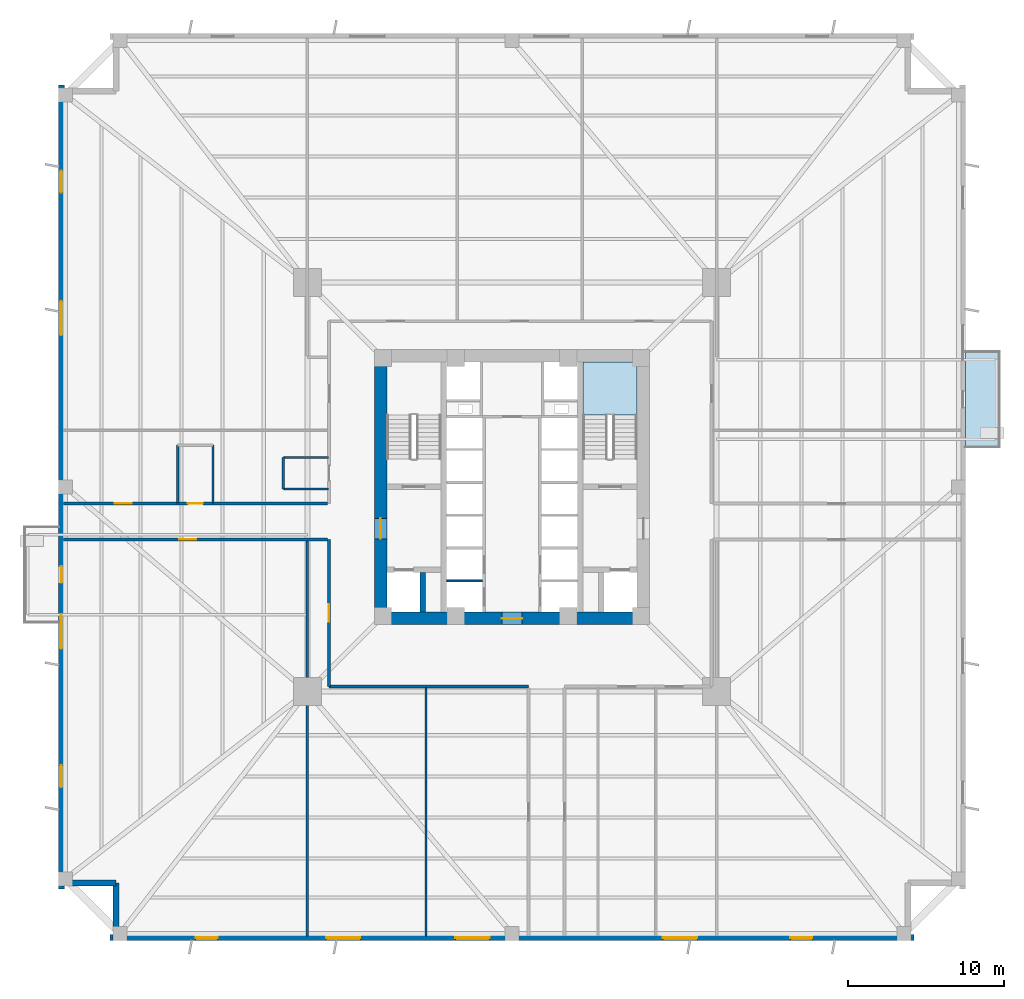
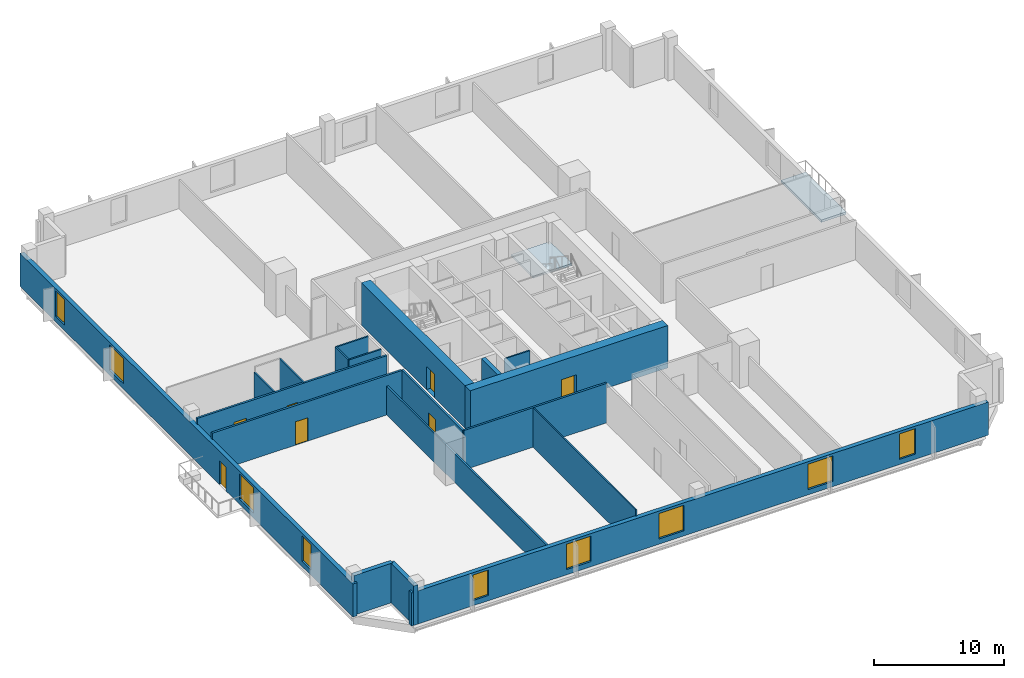
# One storey, part 2 of 9: 19 walls, 9 windows, 7 doors, 2 slabs, 16 openings, 1 element without a shape of its own.
"""IFC4 building model written with IfcOpenShell, lengths in metres."""

from ifc_helpers import new_model, si_unit, direction, frame, frame_2d, origin, place, context, subcontext, project, spatial, polyline, rectangle, outline, extrude, source, transform, mapped, material, layer, layer_set, type_object, element, fill, aggregate, save


model = new_model("IFC4")

# Units and contexts
model_context = context("Model", 3, precision=1e-05, world=origin(), true_north=direction((0.0, 1.0)))
body_context = subcontext(model_context, "Body", "Model", "MODEL_VIEW")
ifc_project = project(units=[si_unit("LENGTHUNIT", "METRE"), si_unit("AREAUNIT", "SQUARE_METRE"), si_unit("VOLUMEUNIT", "CUBIC_METRE"), si_unit("PLANEANGLEUNIT", "RADIAN"), si_unit("MASSUNIT", "GRAM", prefix="KILO"), si_unit("THERMODYNAMICTEMPERATUREUNIT", "KELVIN")], contexts=[model_context])

# Site, building, storey
site_placement = place(None, origin())
site = spatial("IfcSite", under=ifc_project, at=site_placement, CompositionType="ELEMENT")
building_placement = place(site_placement, origin())
building = spatial("IfcBuilding", under=site, at=building_placement, Name="Kosmvard Interchange Tower", CompositionType="ELEMENT")
storey_placement = place(building_placement, frame((0.0, 0.0, 70.0)))
storey = spatial("IfcBuildingStorey", under=building, at=storey_placement, Name="L16", CompositionType="ELEMENT", Elevation=70.0)

# Stair, slab
ifc_material_1 = material(Name="Concrete C50/60", Category="concrete")
stair_type = type_object("IfcStairType", Name="Dog-Leg Core Exit Stair H4000 C50/60", PredefinedType="HALF_TURN_STAIR", material=ifc_material_1)
stair_placement = place(storey_placement, origin())
stair = element("IfcStair", 1, at=stair_placement, inside=storey, type_object=stair_type, Name="L16 Protected Exit Stair ST-2", PredefinedType="HALF_TURN_STAIR")
ifc_layer_1 = layer(ifc_material_1, 0.199951171875, Name="Concrete C50/60")
ifc_layer_set_1 = layer_set([ifc_layer_1], Name="Concrete C50/60")
slab_type_1 = type_object("IfcSlabType", Name="Stair Half-Landing Slab 200 C50/60", PredefinedType="LANDING", material=ifc_layer_set_1)
slab_1_placement = place(storey_placement, frame((0.0, 0.0, 1.800048828125)))
slab_1 = element("IfcSlab", 2, at=slab_1_placement, type_object=slab_type_1, Name="ST-2 landing 1", PredefinedType="LANDING", context=body_context, shape_type="SweptSolid", body=[
    extrude(outline(polyline([(8.0, 4.60009765625), (8.0, 8.0), (4.5400390625, 8.0), (4.5400390625, 4.60009765625), (8.0, 4.60009765625)])), origin(), (0.0, 0.0, 1.0), 0.199951171875),
])
aggregate(stair, [slab_1])

# Slab
ifc_layer_2 = layer(ifc_material_1, 0.22998046875, Name="Concrete C50/60")
ifc_layer_set_2 = layer_set([ifc_layer_2], Name="Concrete C50/60")
slab_type_2 = type_object("IfcSlabType", Name="Tree-Planter Cantilever Balcony Slab 230 C50/60", PredefinedType="FLOOR", material=ifc_layer_set_2)
slab_2_placement = place(storey_placement, frame((0.0, 0.0, -0.22998046875)))
element("IfcSlab", 3, at=slab_2_placement, inside=storey, type_object=slab_type_2, Name="L16 Outdoor Terrace Balcony Slab BAL-L16-E", PredefinedType="FLOOR", context=body_context, shape_type="SweptSolid", body=[
    extrude(outline(polyline([(29.0, 2.5), (31.199951171875, 2.5), (31.199951171875, 8.699951171875), (29.0, 8.699951171875), (29.0, 2.5)])), origin(), (0.0, 0.0, 1.0), 0.22998046875),
])

# Walls
ifc_material_2 = material(Name="Acoustic gypsum partition system")
ifc_layer_3 = layer(ifc_material_2, 0.14990234375, Name="Acoustic gypsum partition system")
ifc_layer_set_3 = layer_set([ifc_layer_3], Name="Acoustic gypsum partition system")
wall_type_1 = type_object("IfcWallType", Name="Acoustic Suite & Meeting Partition 150", PredefinedType="PARTITIONING", material=ifc_layer_set_3)
wall_1_placement = place(storey_placement, frame((-13.0810546875, -28.68505859375, 0.0), z_axis=(0.0, 0.0, 1.0), x_axis=(0.0, 1.0, 0.0)))
element("IfcWall", 4, at=wall_1_placement, inside=storey, type_object=wall_type_1, Name="L16 Room Partition 12.1", PredefinedType="PARTITIONING", context=body_context, shape_type="SweptSolid", body=[
    extrude(rectangle(XDim=25.239990234375, YDim=0.14990234375, at=frame_2d((12.6201171875, 0.0))), origin(), (0.0, 0.0, 1.0), 2.7119140625),
])
ifc_material_3 = material(Name="Fire-rated gypsum partition system")
ifc_layer_4 = layer(ifc_material_3, 0.179931640625, Name="Fire-rated gypsum partition system")
ifc_layer_set_4 = layer_set([ifc_layer_4], Name="Fire-rated gypsum partition system")
wall_type_2 = type_object("IfcWallType", Name="Corridor & Hotel Compartment Partition 180", PredefinedType="PARTITIONING", material=ifc_layer_set_4)
wall_2_placement = place(storey_placement, frame((-11.699951171875, -12.75, 0.0), z_axis=(0.0, 0.0, 1.0), x_axis=(1.0, 0.0, 0.0)))
element("IfcWall", 5, at=wall_2_placement, inside=storey, type_object=wall_type_2, Name="L16 Corridor Wall CSW", PredefinedType="PARTITIONING", context=body_context, shape_type="SweptSolid", body=[
    extrude(rectangle(XDim=12.75, YDim=0.179931640625, at=frame_2d((6.375, 0.0))), origin(), (0.0, 0.0, 1.0), 3.719970703125),
])

# Wall, opening, door
wall_3_placement = place(storey_placement, frame((-11.699951171875, -12.75, 0.0), z_axis=(0.0, 0.0, 1.0), x_axis=(0.0, 1.0, 0.0)))
wall_3 = element("IfcWall", 6, at=wall_3_placement, inside=storey, type_object=wall_type_2, Name="L16 Corridor Wall CWS", PredefinedType="PARTITIONING", context=body_context, shape_type="SweptSolid", body=[
    extrude(rectangle(XDim=9.39990234375, YDim=0.179931640625, at=frame_2d((4.699951171875, 0.0))), origin(), (0.0, 0.0, 1.0), 3.719970703125),
])
opening_1_placement = place(wall_3_placement, frame((4.14990234375, 0.0, 0.0)))
opening_1 = element("IfcOpeningElement", 7, at=opening_1_placement, cuts=wall_3, Name="Opening L16-D15", PredefinedType="OPENING", context=body_context, shape_type="SweptSolid", body=[
    extrude(rectangle(XDim=1.10009765625, YDim=2.199951171875, at=frame_2d((0.550048828125, 1.10009765625))), frame((0.0, 0.10009765625, 0.0), z_axis=(0.0, -1.0, 0.0), x_axis=(1.0, 0.0, 0.0)), (0.0, 0.0, 1.0), 0.199951171875),
])
ifc_material_4 = material(Name="Engineered oak fire-rated timber", Category="wood")
door_type_1 = type_object("IfcDoorType", Name="Office Suite Entrance Door 1100x2200 FD30S", OperationType="NOTDEFINED", PredefinedType="DOOR", material=ifc_material_4)
shared_shape_1 = source(origin(), body_context, "Body", "SweptSolid", [
    extrude(rectangle(XDim=1.10009765625, YDim=2.199951171875, at=frame_2d((0.550048828125, 1.10009765625))), frame((0.0, 0.02490234375, 0.0), z_axis=(0.0, -1.0, 0.0), x_axis=(1.0, 0.0, 0.0)), (0.0, 0.0, 1.0), 0.050048828125),
])
door_1_placement = place(opening_1_placement, origin())
door_1 = element("IfcDoor", 8, at=door_1_placement, inside=storey, type_object=door_type_1, Name="L16 Catering Prep Pantry Door", OperationType="SINGLE_SWING_LEFT", OverallHeight=2.199951171875, OverallWidth=1.10009765625, PredefinedType="DOOR", context=body_context, shape_type="MappedRepresentation", body=[
    mapped(shared_shape_1, transform((0.0, 0.0, 0.0), scale=1.0)),
])
fill(opening_1, door_1)

wall_4_placement = place(storey_placement, frame((-28.68505859375, -3.35009765625, 0.0), z_axis=(0.0, 0.0, 1.0), x_axis=(1.0, 0.0, 0.0)))
wall_4 = element("IfcWall", 9, at=wall_4_placement, inside=storey, type_object=wall_type_2, Name="L16 Corridor Wall SWS", PredefinedType="PARTITIONING", context=body_context, shape_type="SweptSolid", body=[
    extrude(rectangle(XDim=16.885009765625, YDim=0.179931640625, at=frame_2d((8.4423828125, 0.0))), origin(), (0.0, 0.0, 1.0), 3.719970703125),
])
opening_2_placement = place(wall_4_placement, frame((7.41650390625, 0.0, 0.0)))
opening_2 = element("IfcOpeningElement", 10, at=opening_2_placement, cuts=wall_4, Name="Opening L16-D14", PredefinedType="OPENING", context=body_context, shape_type="SweptSolid", body=[
    extrude(rectangle(XDim=1.10009765625, YDim=2.199951171875, at=frame_2d((0.550048828125, 1.10009765625))), frame((0.0, 0.10009765625, 0.0), z_axis=(0.0, -1.0, 0.0), x_axis=(1.0, 0.0, 0.0)), (0.0, 0.0, 1.0), 0.199951171875),
])
door_2_placement = place(opening_2_placement, frame((1.10009765625, 0.0, 0.0), z_axis=(0.0, 0.0, 1.0), x_axis=(-1.0, 0.0, 0.0)))
door_2 = element("IfcDoor", 11, at=door_2_placement, inside=storey, type_object=door_type_1, Name="L16 West Open Operations Studio Door", OperationType="SINGLE_SWING_RIGHT", OverallHeight=2.199951171875, OverallWidth=1.10009765625, PredefinedType="DOOR", context=body_context, shape_type="MappedRepresentation", body=[
    mapped(shared_shape_1, transform((0.0, 0.0, 0.0), scale=1.0)),
])
fill(opening_2, door_2)

# Wall, openings, doors
wall_5_placement = place(storey_placement, frame((-28.68505859375, -1.050048828125, 0.0), z_axis=(0.0, 0.0, 1.0), x_axis=(1.0, 0.0, 0.0)))
wall_5 = element("IfcWall", 12, at=wall_5_placement, inside=storey, type_object=wall_type_2, Name="L16 Corridor Wall SWN", PredefinedType="PARTITIONING", context=body_context, shape_type="SweptSolid", body=[
    extrude(rectangle(XDim=16.885009765625, YDim=0.179931640625, at=frame_2d((8.4423828125, 0.0))), origin(), (0.0, 0.0, 1.0), 3.719970703125),
])
opening_3_placement = place(wall_5_placement, frame((7.967529296875, 0.0, 0.0)))
opening_3 = element("IfcOpeningElement", 13, at=opening_3_placement, cuts=wall_5, Name="Opening L16-D02", PredefinedType="OPENING", context=body_context, shape_type="SweptSolid", body=[
    extrude(rectangle(XDim=0.949951171875, YDim=2.10009765625, at=frame_2d((0.47509765625, 1.050048828125))), frame((0.0, 0.10009765625, 0.0), z_axis=(0.0, -1.0, 0.0), x_axis=(1.0, 0.0, 0.0)), (0.0, 0.0, 1.0), 0.199951171875),
])
opening_4_placement = place(wall_5_placement, frame((3.279296875, 0.0, 0.0)))
opening_4 = element("IfcOpeningElement", 14, at=opening_4_placement, cuts=wall_5, Name="Opening L16-D03", PredefinedType="OPENING", context=body_context, shape_type="SweptSolid", body=[
    extrude(rectangle(XDim=1.10009765625, YDim=2.199951171875, at=frame_2d((0.550048828125, 1.10009765625))), frame((0.0, 0.10009765625, 0.0), z_axis=(0.0, -1.0, 0.0), x_axis=(1.0, 0.0, 0.0)), (0.0, 0.0, 1.0), 0.199951171875),
])
ifc_material_5 = material(Name="Laminated moisture-resistant timber", Category="wood")
door_type_2 = type_object("IfcDoorType", Name="Accessible Washroom Door 950x2100", OperationType="NOTDEFINED", PredefinedType="DOOR", material=ifc_material_5)
shared_shape_2 = source(origin(), body_context, "Body", "SweptSolid", [
    extrude(rectangle(XDim=0.949951171875, YDim=2.10009765625, at=frame_2d((0.47509765625, 1.050048828125))), frame((0.0, 0.02490234375, 0.0), z_axis=(0.0, -1.0, 0.0), x_axis=(1.0, 0.0, 0.0)), (0.0, 0.0, 1.0), 0.050048828125),
])
door_3_placement = place(opening_3_placement, origin())
door_3 = element("IfcDoor", 15, at=door_3_placement, inside=storey, type_object=door_type_2, Name="L16 Public Floor Washroom Door", OperationType="SINGLE_SWING_RIGHT", OverallHeight=2.10009765625, OverallWidth=0.949951171875, PredefinedType="DOOR", context=body_context, shape_type="MappedRepresentation", body=[
    mapped(shared_shape_2, transform((0.0, 0.0, 0.0), scale=1.0)),
])
fill(opening_3, door_3)
door_4_placement = place(opening_4_placement, origin())
door_4 = element("IfcDoor", 16, at=door_4_placement, inside=storey, type_object=door_type_1, Name="L16 Occupational Wellness Clinic 1 Door", OperationType="SINGLE_SWING_LEFT", OverallHeight=2.199951171875, OverallWidth=1.10009765625, PredefinedType="DOOR", context=body_context, shape_type="MappedRepresentation", body=[
    mapped(shared_shape_1, transform((0.0, 0.0, 0.0), scale=1.0)),
])
fill(opening_4, door_4)

# Wall, opening, door
ifc_material_6 = material(Name="Concrete C80/95", Category="concrete")
ifc_layer_5 = layer(ifc_material_6, 0.800048828125, Name="Concrete C80/95")
ifc_layer_set_5 = layer_set([ifc_layer_5], Name="Concrete C80/95")
wall_type_3 = type_object("IfcWallType", Name="Lower Core Shear Wall 800 C80/95", PredefinedType="SHEAR", material=ifc_layer_set_5)
wall_6_placement = place(storey_placement, frame((-8.800048828125, -8.39990234375, 0.0), z_axis=(0.0, 0.0, 1.0), x_axis=(1.0, 0.0, 0.0)))
wall_6 = element("IfcWall", 17, at=wall_6_placement, inside=storey, type_object=wall_type_3, Name="L16 Core Shear Wall CW-S", PredefinedType="SHEAR", context=body_context, shape_type="SweptSolid", body=[
    extrude(rectangle(XDim=17.60009765625, YDim=0.800048828125, at=frame_2d((8.800048828125, 0.0))), origin(), (0.0, 0.0, 1.0), 4.0),
])
opening_5_placement = place(wall_6_placement, frame((8.14990234375, 0.0, 0.0)))
opening_5 = element("IfcOpeningElement", 18, at=opening_5_placement, cuts=wall_6, Name="Opening L16-LD0", PredefinedType="OPENING", context=body_context, shape_type="SweptSolid", body=[
    extrude(rectangle(XDim=1.300048828125, YDim=2.199951171875, at=frame_2d((0.64990234375, 1.10009765625))), frame((0.0, 0.41015625, 0.0), z_axis=(0.0, -1.0, 0.0), x_axis=(1.0, 0.0, 0.0)), (0.0, 0.0, 1.0), 0.820068359375),
])
ifc_material_7 = material(Name="Painted fire-rated steel leaf", Category="steel")
door_type_3 = type_object("IfcDoorType", Name="Firefighting Lobby Door 1300x2200 EI60", OperationType="NOTDEFINED", PredefinedType="DOOR", material=ifc_material_7)
shared_shape_3 = source(origin(), body_context, "Body", "SweptSolid", [
    extrude(rectangle(XDim=1.300048828125, YDim=2.199951171875, at=frame_2d((0.64990234375, 1.10009765625))), frame((0.0, 0.02490234375, 0.0), z_axis=(0.0, -1.0, 0.0), x_axis=(1.0, 0.0, 0.0)), (0.0, 0.0, 1.0), 0.050048828125),
])
door_5_placement = place(opening_5_placement, frame((1.300048828125, 0.0, 0.0), z_axis=(0.0, 0.0, 1.0), x_axis=(-1.0, 0.0, 0.0)))
door_5 = element("IfcDoor", 19, at=door_5_placement, inside=storey, type_object=door_type_3, Name="L16 Passenger Lift Lobby South Door", OperationType="SINGLE_SWING_RIGHT", OverallHeight=2.199951171875, OverallWidth=1.300048828125, PredefinedType="DOOR", context=body_context, shape_type="MappedRepresentation", body=[
    mapped(shared_shape_3, transform((0.0, 0.0, 0.0), scale=1.0)),
])
fill(opening_5, door_5)

wall_7_placement = place(storey_placement, frame((-8.39990234375, -8.0, 0.0), z_axis=(0.0, 0.0, 1.0), x_axis=(0.0, 1.0, 0.0)))
wall_7 = element("IfcWall", 20, at=wall_7_placement, inside=storey, type_object=wall_type_3, Name="L16 Core Shear Wall CW-W", PredefinedType="SHEAR", context=body_context, shape_type="SweptSolid", body=[
    extrude(rectangle(XDim=16.0, YDim=0.800048828125, at=frame_2d((8.0, 0.0))), origin(), (0.0, 0.0, 1.0), 4.0),
])
opening_6_placement = place(wall_7_placement, frame((4.68994140625, 0.0, 0.0)))
opening_6 = element("IfcOpeningElement", 21, at=opening_6_placement, cuts=wall_7, Name="Opening L16-FD1", PredefinedType="OPENING", context=body_context, shape_type="SweptSolid", body=[
    extrude(rectangle(XDim=1.300048828125, YDim=2.199951171875, at=frame_2d((0.64990234375, 1.10009765625))), frame((0.0, 0.41015625, 0.0), z_axis=(0.0, -1.0, 0.0), x_axis=(1.0, 0.0, 0.0)), (0.0, 0.0, 1.0), 0.820068359375),
])
door_6_placement = place(opening_6_placement, frame((1.300048828125, 0.0, 0.0), z_axis=(0.0, 0.0, 1.0), x_axis=(-1.0, 0.0, 0.0)))
door_6 = element("IfcDoor", 22, at=door_6_placement, inside=storey, type_object=door_type_3, Name="L16 Firefighting Lobby West Door", OperationType="SINGLE_SWING_LEFT", OverallHeight=2.199951171875, OverallWidth=1.300048828125, PredefinedType="DOOR", context=body_context, shape_type="MappedRepresentation", body=[
    mapped(shared_shape_3, transform((0.0, 0.0, 0.0), scale=1.0)),
])
fill(opening_6, door_6)

# Wall, openings, windows
ifc_material_8 = material(Name="Precast concrete C45/55", Category="concrete")
ifc_layer_6 = layer(ifc_material_8, 0.3798828125, Name="Precast concrete C45/55")
ifc_layer_set_6 = layer_set([ifc_layer_6], Name="Precast concrete C45/55")
wall_type_4 = type_object("IfcWallType", Name="Lower Tower Precast Pier Wall 380 C45/55", PredefinedType="STANDARD", material=ifc_layer_set_6)
wall_8_placement = place(storey_placement, frame((-25.68994140625, -28.81005859375, 0.0), z_axis=(0.0, 0.0, 1.0), x_axis=(1.0, 0.0, 0.0)))
wall_8 = element("IfcWall", 23, at=wall_8_placement, inside=storey, type_object=wall_type_4, Name="L16 Precast Facade Wall F-S", PredefinedType="STANDARD", context=body_context, shape_type="SweptSolid", body=[
    extrude(rectangle(XDim=51.3798828125, YDim=0.3798828125, at=frame_2d((25.68994140625, 0.0))), origin(), (0.0, 0.0, 1.0), 3.1201171875),
])
opening_7_placement = place(wall_8_placement, frame((5.465576171875, 0.0, 0.489990234375)))
opening_7 = element("IfcOpeningElement", 24, at=opening_7_placement, cuts=wall_8, Name="Opening L16-W01", PredefinedType="OPENING", context=body_context, shape_type="SweptSolid", body=[
    extrude(rectangle(XDim=1.39990234375, YDim=2.39990234375, at=frame_2d((0.699951171875, 1.199951171875))), frame((0.0, 0.199951171875, 0.0), z_axis=(0.0, -1.0, 0.0), x_axis=(1.0, 0.0, 0.0)), (0.0, 0.0, 1.0), 0.39990234375),
])
opening_8_placement = place(wall_8_placement, frame((13.80029296875, 0.0, 0.489990234375)))
opening_8 = element("IfcOpeningElement", 25, at=opening_8_placement, cuts=wall_8, Name="Opening L16-W02", PredefinedType="OPENING", context=body_context, shape_type="SweptSolid", body=[
    extrude(rectangle(XDim=2.199951171875, YDim=2.39990234375, at=frame_2d((1.10009765625, 1.199951171875))), frame((0.0, 0.199951171875, 0.0), z_axis=(0.0, -1.0, 0.0), x_axis=(1.0, 0.0, 0.0)), (0.0, 0.0, 1.0), 0.39990234375),
])
opening_9_placement = place(wall_8_placement, frame((22.0625, 0.0, 0.489990234375)))
opening_9 = element("IfcOpeningElement", 26, at=opening_9_placement, cuts=wall_8, Name="Opening L16-W03", PredefinedType="OPENING", context=body_context, shape_type="SweptSolid", body=[
    extrude(rectangle(XDim=2.199951171875, YDim=2.39990234375, at=frame_2d((1.10009765625, 1.199951171875))), frame((0.0, 0.199951171875, 0.0), z_axis=(0.0, -1.0, 0.0), x_axis=(1.0, 0.0, 0.0)), (0.0, 0.0, 1.0), 0.39990234375),
])
opening_10_placement = place(wall_8_placement, frame((35.33837890625, 0.0, 0.489990234375)))
opening_10 = element("IfcOpeningElement", 27, at=opening_10_placement, cuts=wall_8, Name="Opening L16-W04", PredefinedType="OPENING", context=body_context, shape_type="SweptSolid", body=[
    extrude(rectangle(XDim=2.199951171875, YDim=2.39990234375, at=frame_2d((1.10009765625, 1.199951171875))), frame((0.0, 0.199951171875, 0.0), z_axis=(0.0, -1.0, 0.0), x_axis=(1.0, 0.0, 0.0)), (0.0, 0.0, 1.0), 0.39990234375),
])
opening_11_placement = place(wall_8_placement, frame((43.48681640625, 0.0, 0.489990234375)))
opening_11 = element("IfcOpeningElement", 28, at=opening_11_placement, cuts=wall_8, Name="Opening L16-W05", PredefinedType="OPENING", context=body_context, shape_type="SweptSolid", body=[
    extrude(rectangle(XDim=1.39990234375, YDim=2.39990234375, at=frame_2d((0.699951171875, 1.199951171875))), frame((0.0, 0.199951171875, 0.0), z_axis=(0.0, -1.0, 0.0), x_axis=(1.0, 0.0, 0.0)), (0.0, 0.0, 1.0), 0.39990234375),
])
ifc_material_9 = material(Name="Low-E solar-control double glazing", Category="glass")
window_type_1 = type_object("IfcWindowType", Name="Notched Corner Feature Window 1400x2400", PartitioningType="SINGLE_PANEL", PredefinedType="WINDOW", material=ifc_material_9)
shared_shape_4 = source(origin(), body_context, "Body", "SweptSolid", [
    extrude(rectangle(XDim=1.39990234375, YDim=2.39990234375, at=frame_2d((0.699951171875, 1.199951171875))), frame((0.0, 0.030029296875, 0.0), z_axis=(0.0, -1.0, 0.0), x_axis=(1.0, 0.0, 0.0)), (0.0, 0.0, 1.0), 0.06005859375),
])
window_1_placement = place(opening_7_placement, origin())
window_1 = element("IfcWindow", 29, at=window_1_placement, inside=storey, type_object=window_type_1, Name="L16 Facade Punched Window 01", OverallHeight=2.39990234375, OverallWidth=1.39990234375, PartitioningType="SINGLE_PANEL", PredefinedType="WINDOW", context=body_context, shape_type="MappedRepresentation", body=[
    mapped(shared_shape_4, transform((0.0, 0.0, 0.0), scale=1.0)),
])
fill(opening_7, window_1)
window_2_placement = place(opening_11_placement, origin())
window_2 = element("IfcWindow", 30, at=window_2_placement, inside=storey, type_object=window_type_1, Name="L16 Facade Punched Window 05", OverallHeight=2.39990234375, OverallWidth=1.39990234375, PartitioningType="SINGLE_PANEL", PredefinedType="WINDOW", context=body_context, shape_type="MappedRepresentation", body=[
    mapped(shared_shape_4, transform((0.0, 0.0, 0.0), scale=1.0)),
])
fill(opening_11, window_2)
window_type_2 = type_object("IfcWindowType", Name="Zone 1 Office Punched Window 2200x2400", PartitioningType="SINGLE_PANEL", PredefinedType="WINDOW", material=ifc_material_9)
shared_shape_5 = source(origin(), body_context, "Body", "SweptSolid", [
    extrude(rectangle(XDim=2.199951171875, YDim=2.39990234375, at=frame_2d((1.10009765625, 1.199951171875))), frame((0.0, 0.030029296875, 0.0), z_axis=(0.0, -1.0, 0.0), x_axis=(1.0, 0.0, 0.0)), (0.0, 0.0, 1.0), 0.06005859375),
])
window_3_placement = place(opening_8_placement, origin())
window_3 = element("IfcWindow", 31, at=window_3_placement, inside=storey, type_object=window_type_2, Name="L16 Facade Punched Window 02", OverallHeight=2.39990234375, OverallWidth=2.199951171875, PartitioningType="SINGLE_PANEL", PredefinedType="WINDOW", context=body_context, shape_type="MappedRepresentation", body=[
    mapped(shared_shape_5, transform((0.0, 0.0, 0.0), scale=1.0)),
])
fill(opening_8, window_3)
window_4_placement = place(opening_9_placement, origin())
window_4 = element("IfcWindow", 32, at=window_4_placement, inside=storey, type_object=window_type_2, Name="L16 Facade Punched Window 03", OverallHeight=2.39990234375, OverallWidth=2.199951171875, PartitioningType="SINGLE_PANEL", PredefinedType="WINDOW", context=body_context, shape_type="MappedRepresentation", body=[
    mapped(shared_shape_5, transform((0.0, 0.0, 0.0), scale=1.0)),
])
fill(opening_9, window_4)
window_5_placement = place(opening_10_placement, origin())
window_5 = element("IfcWindow", 33, at=window_5_placement, inside=storey, type_object=window_type_2, Name="L16 Facade Punched Window 04", OverallHeight=2.39990234375, OverallWidth=2.199951171875, PartitioningType="SINGLE_PANEL", PredefinedType="WINDOW", context=body_context, shape_type="MappedRepresentation", body=[
    mapped(shared_shape_5, transform((0.0, 0.0, 0.0), scale=1.0)),
])
fill(opening_10, window_5)

# Wall, openings, door, windows
wall_9_placement = place(storey_placement, frame((-28.81005859375, 25.68994140625, 0.0), z_axis=(0.0, 0.0, 1.0), x_axis=(0.0, -1.0, 0.0)))
wall_9 = element("IfcWall", 34, at=wall_9_placement, inside=storey, type_object=wall_type_4, Name="L16 Precast Facade Wall F-W", PredefinedType="STANDARD", context=body_context, shape_type="SweptSolid", body=[
    extrude(rectangle(XDim=51.3798828125, YDim=0.3798828125, at=frame_2d((25.68994140625, 0.0))), origin(), (0.0, 0.0, 1.0), 3.1201171875),
])
opening_12_placement = place(wall_9_placement, frame((30.764892578125, 0.0, 0.0)))
opening_12 = element("IfcOpeningElement", 35, at=opening_12_placement, cuts=wall_9, Name="Opening L16-BDW", PredefinedType="OPENING", context=body_context, shape_type="SweptSolid", body=[
    extrude(rectangle(XDim=1.050048828125, YDim=2.25, at=frame_2d((0.52490234375, 1.125))), frame((0.0, 0.199951171875, 0.0), z_axis=(0.0, -1.0, 0.0), x_axis=(1.0, 0.0, 0.0)), (0.0, 0.0, 1.0), 0.39990234375),
])
opening_13_placement = place(wall_9_placement, frame((5.465576171875, 0.0, 0.489990234375)))
opening_13 = element("IfcOpeningElement", 36, at=opening_13_placement, cuts=wall_9, Name="Opening L16-W15", PredefinedType="OPENING", context=body_context, shape_type="SweptSolid", body=[
    extrude(rectangle(XDim=1.39990234375, YDim=2.39990234375, at=frame_2d((0.699951171875, 1.199951171875))), frame((0.0, 0.199951171875, 0.0), z_axis=(0.0, -1.0, 0.0), x_axis=(1.0, 0.0, 0.0)), (0.0, 0.0, 1.0), 0.39990234375),
])
opening_14_placement = place(wall_9_placement, frame((13.80029296875, 0.0, 0.489990234375)))
opening_14 = element("IfcOpeningElement", 37, at=opening_14_placement, cuts=wall_9, Name="Opening L16-W16", PredefinedType="OPENING", context=body_context, shape_type="SweptSolid", body=[
    extrude(rectangle(XDim=2.199951171875, YDim=2.39990234375, at=frame_2d((1.10009765625, 1.199951171875))), frame((0.0, 0.199951171875, 0.0), z_axis=(0.0, -1.0, 0.0), x_axis=(1.0, 0.0, 0.0)), (0.0, 0.0, 1.0), 0.39990234375),
])
opening_15_placement = place(wall_9_placement, frame((33.83837890625, 0.0, 0.489990234375)))
opening_15 = element("IfcOpeningElement", 38, at=opening_15_placement, cuts=wall_9, Name="Opening L16-W17", PredefinedType="OPENING", context=body_context, shape_type="SweptSolid", body=[
    extrude(rectangle(XDim=2.199951171875, YDim=2.39990234375, at=frame_2d((1.10009765625, 1.199951171875))), frame((0.0, 0.199951171875, 0.0), z_axis=(0.0, -1.0, 0.0), x_axis=(1.0, 0.0, 0.0)), (0.0, 0.0, 1.0), 0.39990234375),
])
opening_16_placement = place(wall_9_placement, frame((43.48681640625, 0.0, 0.489990234375)))
opening_16 = element("IfcOpeningElement", 39, at=opening_16_placement, cuts=wall_9, Name="Opening L16-W18", PredefinedType="OPENING", context=body_context, shape_type="SweptSolid", body=[
    extrude(rectangle(XDim=1.39990234375, YDim=2.39990234375, at=frame_2d((0.699951171875, 1.199951171875))), frame((0.0, 0.199951171875, 0.0), z_axis=(0.0, -1.0, 0.0), x_axis=(1.0, 0.0, 0.0)), (0.0, 0.0, 1.0), 0.39990234375),
])
ifc_material_10 = material(Name="Anodised aluminium and safety glass", Category="aluminium")
door_type_4 = type_object("IfcDoorType", Name="Tree-Balcony Glazed Door 1050x2250", OperationType="NOTDEFINED", PredefinedType="DOOR", material=ifc_material_10)
shared_shape_6 = source(origin(), body_context, "Body", "SweptSolid", [
    extrude(rectangle(XDim=1.050048828125, YDim=2.25, at=frame_2d((0.52490234375, 1.125))), frame((0.0, 0.02490234375, 0.0), z_axis=(0.0, -1.0, 0.0), x_axis=(1.0, 0.0, 0.0)), (0.0, 0.0, 1.0), 0.050048828125),
])
door_7_placement = place(opening_12_placement, origin())
door_7 = element("IfcDoor", 40, at=door_7_placement, inside=storey, type_object=door_type_4, Name="L16 Tree-Balcony Door BAL-L16-W", OperationType="SINGLE_SWING_LEFT", OverallHeight=2.25, OverallWidth=1.050048828125, PredefinedType="DOOR", context=body_context, shape_type="MappedRepresentation", body=[
    mapped(shared_shape_6, transform((0.0, 0.0, 0.0), scale=1.0)),
])
fill(opening_12, door_7)
window_6_placement = place(opening_13_placement, origin())
window_6 = element("IfcWindow", 41, at=window_6_placement, inside=storey, type_object=window_type_1, Name="L16 Facade Punched Window 15", OverallHeight=2.39990234375, OverallWidth=1.39990234375, PartitioningType="SINGLE_PANEL", PredefinedType="WINDOW", context=body_context, shape_type="MappedRepresentation", body=[
    mapped(shared_shape_4, transform((0.0, 0.0, 0.0), scale=1.0)),
])
fill(opening_13, window_6)
window_7_placement = place(opening_16_placement, origin())
window_7 = element("IfcWindow", 42, at=window_7_placement, inside=storey, type_object=window_type_1, Name="L16 Facade Punched Window 18", OverallHeight=2.39990234375, OverallWidth=1.39990234375, PartitioningType="SINGLE_PANEL", PredefinedType="WINDOW", context=body_context, shape_type="MappedRepresentation", body=[
    mapped(shared_shape_4, transform((0.0, 0.0, 0.0), scale=1.0)),
])
fill(opening_16, window_7)
window_8_placement = place(opening_14_placement, origin())
window_8 = element("IfcWindow", 43, at=window_8_placement, inside=storey, type_object=window_type_2, Name="L16 Facade Punched Window 16", OverallHeight=2.39990234375, OverallWidth=2.199951171875, PartitioningType="SINGLE_PANEL", PredefinedType="WINDOW", context=body_context, shape_type="MappedRepresentation", body=[
    mapped(shared_shape_5, transform((0.0, 0.0, 0.0), scale=1.0)),
])
fill(opening_14, window_8)
window_9_placement = place(opening_15_placement, origin())
window_9 = element("IfcWindow", 44, at=window_9_placement, inside=storey, type_object=window_type_2, Name="L16 Facade Punched Window 17", OverallHeight=2.39990234375, OverallWidth=2.199951171875, PartitioningType="SINGLE_PANEL", PredefinedType="WINDOW", context=body_context, shape_type="MappedRepresentation", body=[
    mapped(shared_shape_5, transform((0.0, 0.0, 0.0), scale=1.0)),
])
fill(opening_15, window_9)

# Walls
wall_10_placement = place(storey_placement, frame((-28.81005859375, -25.31005859375, 0.0), z_axis=(0.0, 0.0, 1.0), x_axis=(1.0, 0.0, 0.0)))
element("IfcWall", 45, at=wall_10_placement, inside=storey, type_object=wall_type_4, Name="L16 Precast Facade Wall N-SW1", PredefinedType="STANDARD", context=body_context, shape_type="SweptSolid", body=[
    extrude(rectangle(XDim=3.5, YDim=0.3798828125, at=frame_2d((1.75, 0.0))), origin(), (0.0, 0.0, 1.0), 3.719970703125),
])
wall_11_placement = place(storey_placement, frame((-25.31005859375, -25.31005859375, 0.0), z_axis=(0.0, 0.0, 1.0), x_axis=(0.0, -1.0, 0.0)))
element("IfcWall", 46, at=wall_11_placement, inside=storey, type_object=wall_type_4, Name="L16 Precast Facade Wall N-SW2", PredefinedType="STANDARD", context=body_context, shape_type="SweptSolid", body=[
    extrude(rectangle(XDim=3.68994140625, YDim=0.3798828125, at=frame_2d((1.844970703125, 0.0))), origin(), (0.0, 0.0, 1.0), 3.719970703125),
])
ifc_material_11 = material(Name="Gypsum board partition system")
ifc_layer_7 = layer(ifc_material_11, 0.1201171875, Name="Gypsum board partition system")
ifc_layer_set_7 = layer_set([ifc_layer_7], Name="Gypsum board partition system")
wall_type_5 = type_object("IfcWallType", Name="Office Cellular Partition 120", PredefinedType="PARTITIONING", material=ifc_layer_set_7)
wall_12_placement = place(storey_placement, frame((-5.5, -28.68505859375, 0.0), z_axis=(0.0, 0.0, 1.0), x_axis=(0.0, 1.0, 0.0)))
element("IfcWall", 47, at=wall_12_placement, inside=storey, type_object=wall_type_5, Name="L16 Room Partition 13.1", PredefinedType="PARTITIONING", context=body_context, shape_type="SweptSolid", body=[
    extrude(rectangle(XDim=15.840087890625, YDim=0.1201171875, at=frame_2d((7.919921875, 0.0))), origin(), (0.0, 0.0, 1.0), 3.719970703125),
])
ifc_material_12 = material(Name="Fire-rated gypsum shaftwall system")
ifc_layer_8 = layer(ifc_material_12, 0.1201171875, Name="Fire-rated gypsum shaftwall system")
ifc_layer_set_8 = layer_set([ifc_layer_8], Name="Fire-rated gypsum shaftwall system")
wall_type_6 = type_object("IfcWallType", Name="Shaft & Riser Fire Partition 120 EI60", PredefinedType="PARTITIONING", material=ifc_layer_set_8)
wall_13_placement = place(storey_placement, frame((-4.159912109375, -6.0, 0.0), z_axis=(0.0, 0.0, 1.0), x_axis=(1.0, 0.0, 0.0)))
element("IfcWall", 48, at=wall_13_placement, inside=storey, type_object=wall_type_6, Name="L16 Shaft Divider PL-L1", PredefinedType="PARTITIONING", context=body_context, shape_type="SweptSolid", body=[
    extrude(rectangle(XDim=2.260009765625, YDim=0.1201171875, at=frame_2d((1.1298828125, 0.0))), origin(), (0.0, 0.0, 1.0), 3.719970703125),
])
ifc_material_13 = material(Name="Concrete C60/75", Category="concrete")
ifc_layer_9 = layer(ifc_material_13, 0.360107421875, Name="Concrete C60/75")
ifc_layer_set_9 = layer_set([ifc_layer_9], Name="Concrete C60/75")
wall_type_7 = type_object("IfcWallType", Name="Stair & Lift Shaft Shear Wall 360 C60/75", PredefinedType="SHEAR", material=ifc_layer_set_9)
wall_14_placement = place(storey_placement, frame((-5.7099609375, -8.0, 0.0), z_axis=(0.0, 0.0, 1.0), x_axis=(0.0, 1.0, 0.0)))
element("IfcWall", 49, at=wall_14_placement, inside=storey, type_object=wall_type_7, Name="L16 Shaft Shear Wall SW-SM1", PredefinedType="SHEAR", context=body_context, shape_type="SweptSolid", body=[
    extrude(rectangle(XDim=2.5400390625, YDim=0.360107421875, at=frame_2d((1.27001953125, 0.0))), origin(), (0.0, 0.0, 1.0), 4.0),
])
ifc_material_14 = material(Name="Moisture-resistant gypsum partition")
ifc_layer_10 = layer(ifc_material_14, 0.135009765625, Name="Moisture-resistant gypsum partition")
ifc_layer_set_10 = layer_set([ifc_layer_10], Name="Moisture-resistant gypsum partition")
wall_type_8 = type_object("IfcWallType", Name="Wet Room Moisture-Resistant Partition 135", PredefinedType="PARTITIONING", material=ifc_layer_set_10)
for number, where, z_axis, x_axis, name in (
    (50, (-14.6201171875, -0.1201171875, 0.0), (0.0, 0.0, 1.0), (1.0, 0.0, 0.0), "L16 Washroom Partition AWC1-S"),
    (51, (-14.6201171875, 1.8798828125, 0.0), (0.0, 0.0, 1.0), (1.0, 0.0, 0.0), "L16 Washroom Partition AWC1-N"),
):
    element("IfcWall", number, at=place(storey_placement, frame(where, z_axis=z_axis, x_axis=x_axis)), inside=storey, type_object=wall_type_8, Name=name, PredefinedType="PARTITIONING", context=body_context, shape_type="SweptSolid", body=[
        extrude(rectangle(XDim=2.900146484375, YDim=0.135009765625, at=frame_2d((1.4501953125, 0.0))), origin(), (0.0, 0.0, 1.0), 3.719970703125),
    ])
wall_15_placement = place(storey_placement, frame((-14.6201171875, -0.1201171875, 0.0), z_axis=(0.0, 0.0, 1.0), x_axis=(0.0, 1.0, 0.0)))
element("IfcWall", 52, at=wall_15_placement, inside=storey, type_object=wall_type_8, Name="L16 Washroom Partition AWC1-W", PredefinedType="PARTITIONING", context=body_context, shape_type="SweptSolid", body=[
    extrude(rectangle(XDim=2.0, YDim=0.135009765625, at=frame_2d((1.0, 0.0))), origin(), (0.0, 0.0, 1.0), 3.719970703125),
])
wall_16_placement = place(storey_placement, frame((-19.117431640625, -1.030029296875, 0.0), z_axis=(0.0, 0.0, 1.0), x_axis=(0.0, 1.0, 0.0)))
element("IfcWall", 53, at=wall_16_placement, inside=storey, type_object=wall_type_8, Name="L16 Washroom Partition WC1-E", PredefinedType="PARTITIONING", context=body_context, shape_type="SweptSolid", body=[
    extrude(rectangle(XDim=3.699951171875, YDim=0.135009765625, at=frame_2d((1.85009765625, 0.0))), origin(), (0.0, 0.0, 1.0), 3.719970703125),
])
wall_17_placement = place(storey_placement, frame((-21.367431640625, -1.030029296875, 0.0), z_axis=(0.0, 0.0, 1.0), x_axis=(0.0, 1.0, 0.0)))
element("IfcWall", 54, at=wall_17_placement, inside=storey, type_object=wall_type_8, Name="L16 Washroom Partition WC1-W", PredefinedType="PARTITIONING", context=body_context, shape_type="SweptSolid", body=[
    extrude(rectangle(XDim=3.699951171875, YDim=0.135009765625, at=frame_2d((1.85009765625, 0.0))), origin(), (0.0, 0.0, 1.0), 3.219970703125),
])

save(model, "model.ifc")
